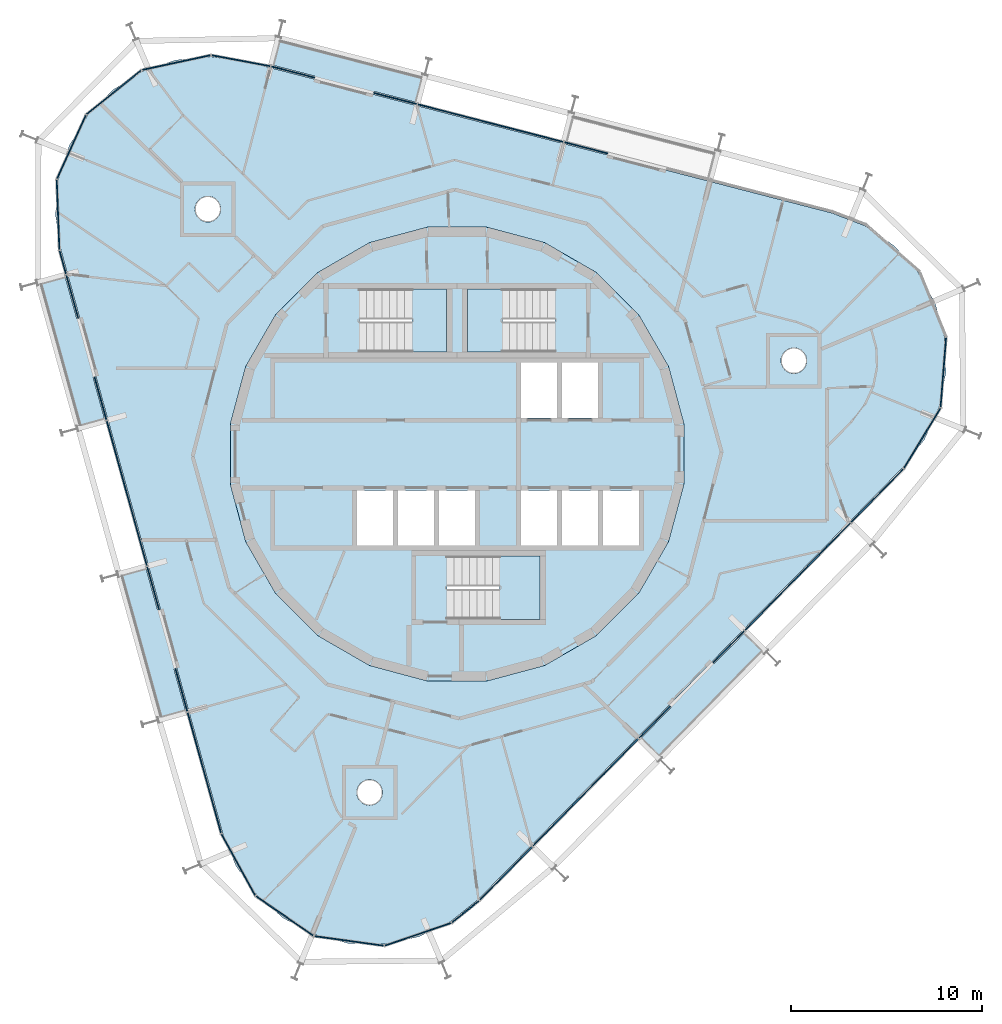
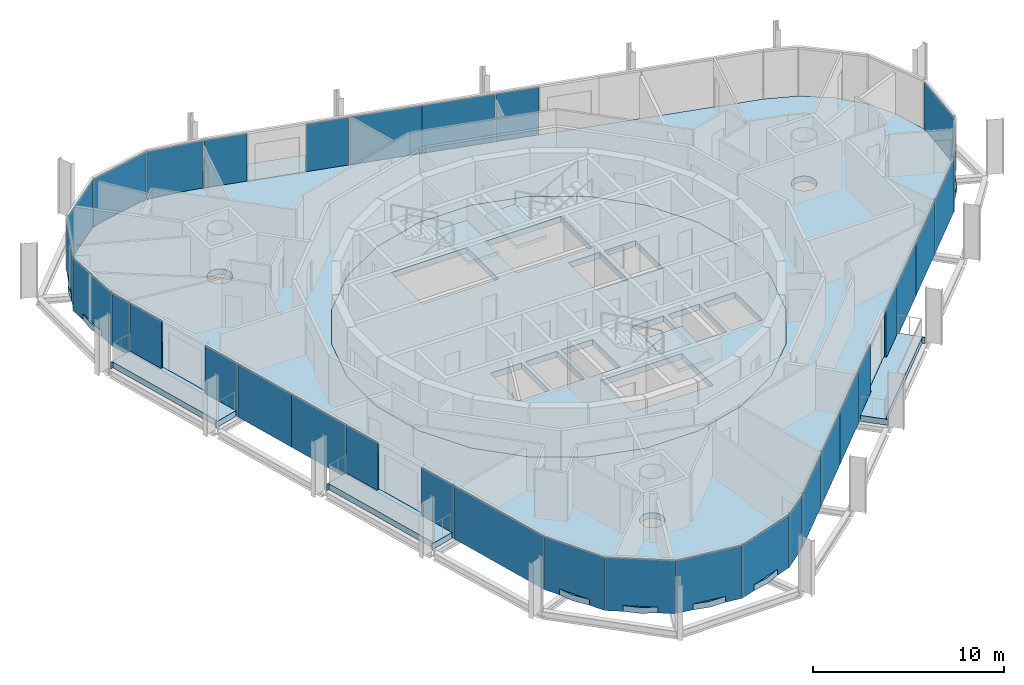
# One storey, part 8 of 15: 33 plates, 9 slabs, 9 elements without a shape of their own.
"""IFC4 building model written with IfcOpenShell, lengths in metres."""

from ifc_helpers import new_model, si_unit, direction, frame, origin, origin_2d, place, context, subcontext, project, spatial, polyline, rectangle, outline, extrude, material, layer, layer_set, type_object, element, aggregate, save


model = new_model("IFC4")

# Units and contexts
model_context = context("Model", 3, precision=1e-05, world=origin(), true_north=direction((0.0, 1.0)))
body_context = subcontext(model_context, "Body", "Model", "MODEL_VIEW")
ifc_project = project(units=[si_unit("LENGTHUNIT", "METRE"), si_unit("AREAUNIT", "SQUARE_METRE"), si_unit("VOLUMEUNIT", "CUBIC_METRE"), si_unit("PLANEANGLEUNIT", "RADIAN"), si_unit("MASSUNIT", "GRAM", prefix="KILO")], contexts=[model_context])

# Site, building, storey
site_placement = place(None, origin())
site = spatial("IfcSite", under=ifc_project, at=site_placement, CompositionType="ELEMENT")
building_placement = place(site_placement, origin())
building = spatial("IfcBuilding", under=site, at=building_placement, Name="Spindle Arch Residences", CompositionType="ELEMENT")
storey_placement = place(building_placement, frame((0.0, 0.0, 315.699951171875)))
storey = spatial("IfcBuildingStorey", under=building, at=storey_placement, Name="L81", CompositionType="ELEMENT", Elevation=315.699951171875)

# Slabs
ifc_material_1 = material(Name="Concrete C40/50", Category="concrete")
ifc_layer_1 = layer(ifc_material_1, 0.3798828125)
ifc_layer_set_1 = layer_set([ifc_layer_1], Name="Balcony slab 380")
slab_type_1 = type_object("IfcSlabType", Name="Balcony slab 380", PredefinedType="FLOOR", material=ifc_layer_set_1)
slab_1_placement = place(storey_placement, frame((0.0, 0.0, -0.3798828125)))
element("IfcSlab", 1, at=slab_1_placement, inside=storey, type_object=slab_type_1, Name="Balcony L81 bay 8", PredefinedType="FLOOR", context=body_context, shape_type="SweptSolid", body=[
    extrude(outline(polyline([(-1.763671875, 19.8896484375), (-1.83642578125, 19.908447265625), (-1.8740234375, 19.763427734375), (-9.265869140625, 21.675048828125), (-9.228271484375, 21.8203125), (-9.30078125, 21.839111328125), (-9.673828125, 20.396484375), (-7.454345703125, 19.822509765625), (-7.494384765625, 19.66748046875), (-4.396484375, 18.8662109375), (-4.3564453125, 19.021240234375), (-2.13671875, 18.447265625), (-1.763671875, 19.8896484375)])), origin(), (0.0, 0.0, 1.0), 0.3798828125),
])
slab_2_placement = place(storey_placement, frame((0.0, 0.0, -0.3798828125)))
element("IfcSlab", 2, at=slab_2_placement, inside=storey, type_object=slab_type_1, Name="Balcony L81 bay 12", PredefinedType="FLOOR", context=body_context, shape_type="SweptSolid", body=[
    extrude(outline(polyline([(-21.998046875, 8.918212890625), (-21.97802734375, 8.845947265625), (-21.83349609375, 8.88623046875), (-19.79296875, 1.52880859375), (-19.9375, 1.488525390625), (-19.91748046875, 1.416259765625), (-18.481689453125, 1.814453125), (-19.094482421875, 4.023681640625), (-18.940185546875, 4.06640625), (-19.79541015625, 7.150146484375), (-19.949462890625, 7.107421875), (-20.562255859375, 9.31640625), (-21.998046875, 8.918212890625)])), origin(), (0.0, 0.0, 1.0), 0.3798828125),
])
slab_3_placement = place(storey_placement, frame((0.0, 0.0, -0.3798828125)))
element("IfcSlab", 3, at=slab_3_placement, inside=storey, type_object=slab_type_1, Name="Balcony L81 bay 14", PredefinedType="FLOOR", context=body_context, shape_type="SweptSolid", body=[
    extrude(outline(polyline([(-17.7568359375, -6.374755859375), (-17.73681640625, -6.447021484375), (-17.59228515625, -6.406982421875), (-15.552001953125, -13.76416015625), (-15.696533203125, -13.804443359375), (-15.676513671875, -13.876708984375), (-14.240478515625, -13.478515625), (-14.853271484375, -11.269287109375), (-14.698974609375, -11.2265625), (-15.55419921875, -8.142822265625), (-15.70849609375, -8.185546875), (-16.321044921875, -5.9765625), (-17.7568359375, -6.374755859375)])), origin(), (0.0, 0.0, 1.0), 0.3798828125),
])
slab_4_placement = place(storey_placement, frame((0.0, 0.0, -0.3798828125)))
element("IfcSlab", 4, at=slab_4_placement, inside=storey, type_object=slab_type_1, Name="Balcony L81 bay 20", PredefinedType="FLOOR", context=body_context, shape_type="SweptSolid", body=[
    extrude(outline(polyline([(10.691162109375, -15.963623046875), (10.743896484375, -15.91015625), (10.63671875, -15.80517578125), (15.98828125, -10.359375), (16.09521484375, -10.464599609375), (16.14794921875, -10.410888671875), (15.085205078125, -9.36669921875), (13.478271484375, -11.001708984375), (13.364013671875, -10.8896484375), (11.121337890625, -13.172119140625), (11.2353515625, -13.2841796875), (9.62841796875, -14.91943359375), (10.691162109375, -15.963623046875)])), origin(), (0.0, 0.0, 1.0), 0.3798828125),
])
ifc_material_2 = material(Name="Concrete C50/60", Category="concrete")
ifc_layer_2 = layer(ifc_material_2, 0.3798828125)
ifc_layer_set_2 = layer_set([ifc_layer_2], Name="Core floor slab 380")
slab_type_2 = type_object("IfcSlabType", Name="Core floor slab 380", PredefinedType="FLOOR", material=ifc_layer_set_2)
slab_5_placement = place(storey_placement, frame((0.0, 0.0, -0.3798828125)))
element("IfcSlab", 5, at=slab_5_placement, inside=storey, type_object=slab_type_2, Name="Core floor L81", PredefinedType="FLOOR", context=body_context, shape_type="SweptSolid", body=[
    extrude(outline(polyline([(1.56640625, -11.897216796875), (4.59228515625, -11.086669921875), (7.30517578125, -9.520263671875), (9.520263671875, -7.30517578125), (11.086669921875, -4.59228515625), (11.897216796875, -1.56640625), (11.897216796875, 1.56640625), (11.086669921875, 4.59228515625), (9.520263671875, 7.30517578125), (7.30517578125, 9.520263671875), (4.59228515625, 11.086669921875), (1.56640625, 11.897216796875), (-1.56640625, 11.897216796875), (-4.59228515625, 11.086669921875), (-7.30517578125, 9.520263671875), (-9.520263671875, 7.30517578125), (-11.086669921875, 4.59228515625), (-11.897216796875, 1.56640625), (-11.897216796875, -1.56640625), (-11.086669921875, -4.59228515625), (-9.520263671875, -7.30517578125), (-7.30517578125, -9.520263671875), (-4.59228515625, -11.086669921875), (-1.56640625, -11.897216796875), (1.56640625, -11.897216796875)]), holes=[polyline([(3.35009765625, 1.89990234375), (5.25, 1.89990234375), (5.25, 4.800048828125), (3.35009765625, 4.800048828125), (3.35009765625, 1.89990234375)]), polyline([(5.5, 1.89990234375), (7.39990234375, 1.89990234375), (7.39990234375, 4.800048828125), (5.5, 4.800048828125), (5.5, 1.89990234375)]), polyline([(-5.25, -4.800048828125), (-3.35009765625, -4.800048828125), (-3.35009765625, -1.89990234375), (-5.25, -1.89990234375), (-5.25, -4.800048828125)]), polyline([(-3.10009765625, -4.800048828125), (-1.199951171875, -4.800048828125), (-1.199951171875, -1.89990234375), (-3.10009765625, -1.89990234375), (-3.10009765625, -4.800048828125)]), polyline([(-0.949951171875, -4.800048828125), (0.949951171875, -4.800048828125), (0.949951171875, -1.89990234375), (-0.949951171875, -1.89990234375), (-0.949951171875, -4.800048828125)]), polyline([(3.35009765625, -4.800048828125), (5.25, -4.800048828125), (5.25, -1.89990234375), (3.35009765625, -1.89990234375), (3.35009765625, -4.800048828125)]), polyline([(5.5, -4.800048828125), (7.39990234375, -4.800048828125), (7.39990234375, -1.89990234375), (5.5, -1.89990234375), (5.5, -4.800048828125)]), polyline([(7.64990234375, -4.800048828125), (9.550048828125, -4.800048828125), (9.550048828125, -1.89990234375), (7.64990234375, -1.89990234375), (7.64990234375, -4.800048828125)]), polyline([(5.1298828125, 8.669921875), (0.550048828125, 8.669921875), (0.550048828125, 5.35009765625), (5.1298828125, 5.35009765625), (5.1298828125, 8.669921875)]), polyline([(-5.1298828125, 5.35009765625), (-0.550048828125, 5.35009765625), (-0.550048828125, 8.669921875), (-5.1298828125, 8.669921875), (-5.1298828125, 5.35009765625)]), polyline([(-0.530029296875, -8.669921875), (4.35009765625, -8.669921875), (4.35009765625, -5.35009765625), (-0.530029296875, -5.35009765625), (-0.530029296875, -8.669921875)])]), origin(), (0.0, 0.0, 1.0), 0.3798828125),
])

# Stair, slab
ifc_material_3 = material(Name="Concrete C50/60", Category="concrete")
stair_type = type_object("IfcStairType", Name="Exit stair 16 risers", PredefinedType="HALF_TURN_STAIR", material=ifc_material_3)
stair_1_placement = place(storey_placement, origin())
stair_1 = element("IfcStair", 6, at=stair_1_placement, inside=storey, type_object=stair_type, Name="L81 Exit stair ST1", PredefinedType="HALF_TURN_STAIR")
ifc_material_4 = material(Name="Concrete C50/60", Category="concrete")
ifc_layer_3 = layer(ifc_material_4, 0.219970703125)
ifc_layer_set_3 = layer_set([ifc_layer_3], Name="Exit stair landing 220")
slab_type_3 = type_object("IfcSlabType", Name="Exit stair landing 220", PredefinedType="LANDING", material=ifc_layer_set_3)
slab_6_placement = place(storey_placement, frame((0.0, 0.0, 1.530029296875)))
slab_6 = element("IfcSlab", 7, at=slab_6_placement, type_object=slab_type_3, Name="ST1 landing 1", PredefinedType="LANDING", context=body_context, shape_type="SweptSolid", body=[
    extrude(outline(polyline([(2.3701171875, 8.669921875), (0.550048828125, 8.669921875), (0.550048828125, 5.35009765625), (2.3701171875, 5.35009765625), (2.3701171875, 8.669921875)])), origin(), (0.0, 0.0, 1.0), 0.219970703125),
])
aggregate(stair_1, [slab_6])

stair_2_placement = place(storey_placement, origin())
stair_2 = element("IfcStair", 8, at=stair_2_placement, inside=storey, type_object=stair_type, Name="L81 Exit stair ST2", PredefinedType="HALF_TURN_STAIR")
slab_7_placement = place(storey_placement, frame((0.0, 0.0, 1.530029296875)))
slab_7 = element("IfcSlab", 9, at=slab_7_placement, type_object=slab_type_3, Name="ST2 landing 1", PredefinedType="LANDING", context=body_context, shape_type="SweptSolid", body=[
    extrude(outline(polyline([(-2.3701171875, 5.35009765625), (-0.550048828125, 5.35009765625), (-0.550048828125, 8.669921875), (-2.3701171875, 8.669921875), (-2.3701171875, 5.35009765625)])), origin(), (0.0, 0.0, 1.0), 0.219970703125),
])
aggregate(stair_2, [slab_7])

stair_3_placement = place(storey_placement, origin())
stair_3 = element("IfcStair", 10, at=stair_3_placement, inside=storey, type_object=stair_type, Name="L81 Exit stair ST3", PredefinedType="HALF_TURN_STAIR")
slab_8_placement = place(storey_placement, frame((0.0, 0.0, 1.530029296875)))
slab_8 = element("IfcSlab", 11, at=slab_8_placement, type_object=slab_type_3, Name="ST3 landing 1", PredefinedType="LANDING", context=body_context, shape_type="SweptSolid", body=[
    extrude(outline(polyline([(2.22998046875, -8.669921875), (4.35009765625, -8.669921875), (4.35009765625, -5.35009765625), (2.22998046875, -5.35009765625), (2.22998046875, -8.669921875)])), origin(), (0.0, 0.0, 1.0), 0.219970703125),
])
aggregate(stair_3, [slab_8])

# Slab
ifc_material_5 = material(Name="Concrete C40/50", Category="concrete")
ifc_layer_4 = layer(ifc_material_5, 0.3798828125)
ifc_layer_set_4 = layer_set([ifc_layer_4], Name="Floor slab 380")
slab_type_4 = type_object("IfcSlabType", Name="Floor slab 380", PredefinedType="FLOOR", material=ifc_layer_set_4)
slab_9_placement = place(storey_placement, frame((0.0, 0.0, -0.3798828125)))
element("IfcSlab", 12, at=slab_9_placement, inside=storey, type_object=slab_type_4, Name="Floor slab L81", PredefinedType="FLOOR", context=body_context, shape_type="SweptSolid", body=[
    extrude(outline(polyline([(-0.330078125, -24.517333984375), (-2.006591796875, -25.317138671875), (-3.822509765625, -25.70849609375), (-5.6796875, -25.6708984375), (-7.477783203125, -25.205810546875), (-9.12060546875, -24.33837890625), (-10.518798828125, -23.11572265625), (-11.597412109375, -21.603515625), (-12.29833984375, -19.88330078125), (-20.782470703125, 10.709228515625), (-21.067626953125, 12.544677734375), (-20.921875, 14.396484375), (-20.35302734375, 16.164794921875), (-19.3916015625, 17.754150390625), (-18.08984375, 19.078857421875), (-16.517333984375, 20.06787109375), (-14.759521484375, 20.66748046875), (-12.910400390625, 20.845458984375), (-11.0703125, 20.59228515625), (19.665771484375, 12.6435546875), (21.397705078125, 11.972900390625), (22.9287109375, 10.920654296875), (24.175537109375, 9.5439453125), (25.0712890625, 7.916748046875), (25.567626953125, 6.126708984375), (25.637939453125, 4.2705078125), (25.2783203125, 2.4482421875), (24.5078125, 0.758056640625), (23.36865234375, -0.708984375), (12.24267578125, -12.03076171875), (1.11669921875, -23.352783203125), (-0.330078125, -24.517333984375)]), holes=[polyline([(7.30517578125, -9.520263671875), (9.520263671875, -7.30517578125), (11.086669921875, -4.59228515625), (11.897216796875, -1.56640625), (11.897216796875, 1.56640625), (11.086669921875, 4.59228515625), (9.520263671875, 7.30517578125), (7.30517578125, 9.520263671875), (4.59228515625, 11.086669921875), (1.56640625, 11.897216796875), (-1.56640625, 11.897216796875), (-4.59228515625, 11.086669921875), (-7.30517578125, 9.520263671875), (-9.520263671875, 7.30517578125), (-11.086669921875, 4.59228515625), (-11.897216796875, 1.56640625), (-11.897216796875, -1.56640625), (-11.086669921875, -4.59228515625), (-9.520263671875, -7.30517578125), (-7.30517578125, -9.520263671875), (-4.59228515625, -11.086669921875), (-1.56640625, -11.897216796875), (1.56640625, -11.897216796875), (4.59228515625, -11.086669921875), (7.30517578125, -9.520263671875)]), polyline([(-4.028076171875, -18.120361328125), (-3.9658203125, -18.003662109375), (-3.92724609375, -17.877197265625), (-3.914306640625, -17.745361328125), (-3.92724609375, -17.61376953125), (-3.9658203125, -17.487060546875), (-4.028076171875, -17.370361328125), (-4.112060546875, -17.26806640625), (-4.21435546875, -17.18408203125), (-4.3310546875, -17.121826171875), (-4.45751953125, -17.08349609375), (-4.58935546875, -17.0703125), (-4.720947265625, -17.08349609375), (-4.84765625, -17.121826171875), (-4.96435546875, -17.18408203125), (-5.066650390625, -17.26806640625), (-5.150390625, -17.370361328125), (-5.212890625, -17.487060546875), (-5.251220703125, -17.61376953125), (-5.264404296875, -17.745361328125), (-5.251220703125, -17.877197265625), (-5.212890625, -18.003662109375), (-5.150390625, -18.120361328125), (-5.066650390625, -18.22265625), (-4.96435546875, -18.306640625), (-4.84765625, -18.368896484375), (-4.720947265625, -18.407470703125), (-4.58935546875, -18.42041015625), (-4.45751953125, -18.407470703125), (-4.3310546875, -18.368896484375), (-4.21435546875, -18.306640625), (-4.112060546875, -18.22265625), (-4.028076171875, -18.120361328125)]), polyline([(-12.595947265625, 12.369873046875), (-12.51220703125, 12.47216796875), (-12.44970703125, 12.5888671875), (-12.411376953125, 12.71533203125), (-12.398193359375, 12.84716796875), (-12.411376953125, 12.978759765625), (-12.44970703125, 13.10546875), (-12.51220703125, 13.22216796875), (-12.595947265625, 13.324462890625), (-12.6982421875, 13.408203125), (-12.81494140625, 13.470703125), (-12.941650390625, 13.509033203125), (-13.0732421875, 13.522216796875), (-13.205078125, 13.509033203125), (-13.33154296875, 13.470703125), (-13.4482421875, 13.408203125), (-13.550537109375, 13.324462890625), (-13.634521484375, 13.22216796875), (-13.697021484375, 13.10546875), (-13.7353515625, 12.978759765625), (-13.748291015625, 12.84716796875), (-13.7353515625, 12.71533203125), (-13.697021484375, 12.5888671875), (-13.634521484375, 12.47216796875), (-13.550537109375, 12.369873046875), (-13.4482421875, 12.285888671875), (-13.33154296875, 12.223388671875), (-13.205078125, 12.18505859375), (-13.0732421875, 12.172119140625), (-12.941650390625, 12.18505859375), (-12.81494140625, 12.223388671875), (-12.6982421875, 12.285888671875), (-12.595947265625, 12.369873046875)]), polyline([(18.139892578125, 4.4208984375), (18.223876953125, 4.523193359375), (18.2861328125, 4.639892578125), (18.32470703125, 4.7666015625), (18.337646484375, 4.898193359375), (18.32470703125, 5.030029296875), (18.2861328125, 5.156494140625), (18.223876953125, 5.273193359375), (18.139892578125, 5.37548828125), (18.03759765625, 5.45947265625), (17.9208984375, 5.52197265625), (17.794189453125, 5.560302734375), (17.66259765625, 5.5732421875), (17.531005859375, 5.560302734375), (17.404296875, 5.52197265625), (17.28759765625, 5.45947265625), (17.185302734375, 5.37548828125), (17.101318359375, 5.273193359375), (17.0390625, 5.156494140625), (17.00048828125, 5.030029296875), (16.987548828125, 4.898193359375), (17.00048828125, 4.7666015625), (17.0390625, 4.639892578125), (17.101318359375, 4.523193359375), (17.185302734375, 4.4208984375), (17.28759765625, 4.337158203125), (17.404296875, 4.274658203125), (17.531005859375, 4.236328125), (17.66259765625, 4.223388671875), (17.794189453125, 4.236328125), (17.9208984375, 4.274658203125), (18.03759765625, 4.337158203125), (18.139892578125, 4.4208984375)])]), origin(), (0.0, 0.0, 1.0), 0.3798828125),
])

# Curtain wall, plates
ifc_material_6 = material(Name="Aluminium bronze unitised frame with tinted glass", Category="aluminium")
ifc_layer_5 = layer(ifc_material_6, 0.159912109375)
ifc_layer_set_5 = layer_set([ifc_layer_5], Name="CW-D corner wall on the fillet arcs")
curtain_wall_type_1 = type_object("IfcCurtainWallType", Name="CW-D corner wall on the fillet arcs", PredefinedType="NOTDEFINED", material=ifc_layer_set_5)
curtain_wall_1_placement = place(storey_placement, origin())
curtain_wall_1 = element("IfcCurtainWall", 13, at=curtain_wall_1_placement, inside=storey, type_object=curtain_wall_type_1, Name="CW-D L81 run 1", PredefinedType="NOTDEFINED")
ifc_material_7 = material(Name="Tinted double glazing over aluminium faced non-combustible spandrel zone (K0)", Category="aluminium")
ifc_layer_6 = layer(ifc_material_7, 0.06005859375)
ifc_layer_set_6 = layer_set([ifc_layer_6], Name="Unitised glass panel with E 60 spandrel zone")
plate_type = type_object("IfcPlateType", Name="Unitised glass panel with E 60 spandrel zone", PredefinedType="CURTAIN_PANEL", material=ifc_layer_set_6)
plate_1_placement = place(storey_placement, frame((22.033935546875, -2.18115234375, -0.3798828125), z_axis=(0.0, 0.0, 1.0), x_axis=(0.7009092643, 0.713250449154, 0.0)))
plate_1 = element("IfcPlate", 14, at=plate_1_placement, type_object=plate_type, Name="CW-D unit 00", PredefinedType="CURTAIN_PANEL", context=body_context, shape_type="SweptSolid", body=[
    extrude(rectangle(XDim=3.910888671875, YDim=0.06005859375, at=origin_2d()), origin(), (0.0, 0.0, 1.0), 3.3798828125),
])
plate_2_placement = place(storey_placement, frame((24.39013671875, 0.829345703125, -0.3798828125), z_axis=(0.0, 0.0, 1.0), x_axis=(0.517529288252, 0.855665492936, 0.0)))
plate_2 = element("IfcPlate", 15, at=plate_2_placement, type_object=plate_type, Name="CW-D unit 01", PredefinedType="CURTAIN_PANEL", context=body_context, shape_type="SweptSolid", body=[
    extrude(rectangle(XDim=3.666748046875, YDim=0.06005859375, at=origin_2d()), origin(), (0.0, 0.0, 1.0), 3.3798828125),
])
plate_3_placement = place(storey_placement, frame((25.50048828125, 4.281494140625, -0.3798828125), z_axis=(0.0, 0.0, 1.0), x_axis=(0.078459091935, 0.996917334032, 0.0)))
plate_3 = element("IfcPlate", 16, at=plate_3_placement, type_object=plate_type, Name="CW-D unit 02", PredefinedType="CURTAIN_PANEL", context=body_context, shape_type="SweptSolid", body=[
    extrude(rectangle(XDim=3.666748046875, YDim=0.06005859375, at=origin_2d()), origin(), (0.0, 0.0, 1.0), 3.3798828125),
])
aggregate(curtain_wall_1, [plate_1, plate_2, plate_3])

ifc_material_8 = material(Name="Aluminium bronze unitised frame with tinted glass", Category="aluminium")
ifc_layer_7 = layer(ifc_material_8, 0.159912109375)
ifc_layer_set_7 = layer_set([ifc_layer_7], Name="CW-C typical residential unitised wall")
curtain_wall_type_2 = type_object("IfcCurtainWallType", Name="CW-C typical residential unitised wall", PredefinedType="NOTDEFINED", material=ifc_layer_set_7)
curtain_wall_2_placement = place(storey_placement, origin())
curtain_wall_2 = element("IfcCurtainWall", 17, at=curtain_wall_2_placement, inside=storey, type_object=curtain_wall_type_2, Name="CW-C L81 run 2", PredefinedType="NOTDEFINED")
plate_4_placement = place(storey_placement, frame((6.7587890625, 16.06396484375, -0.3798828125), z_axis=(0.0, 0.0, 1.0), x_axis=(-0.968147640378, 0.250380004054, 0.0)))
plate_4 = element("IfcPlate", 18, at=plate_4_placement, type_object=plate_type, Name="CW-C unit 05R", PredefinedType="CURTAIN_PANEL", context=body_context, shape_type="SweptSolid", body=[
    extrude(rectangle(XDim=2.337646484375, YDim=0.06005859375, at=origin_2d()), origin(), (0.0, 0.0, 1.0), 3.3798828125),
])
plate_5_placement = place(storey_placement, frame((3.6630859375, 16.86474609375, -0.3798828125), z_axis=(0.0, 0.0, 1.0), x_axis=(-0.968147640378, 0.250380004054, 0.0)))
plate_5 = element("IfcPlate", 19, at=plate_5_placement, type_object=plate_type, Name="CW-C unit 06A", PredefinedType="CURTAIN_PANEL", context=body_context, shape_type="SweptSolid", body=[
    extrude(rectangle(XDim=3.9375, YDim=0.06005859375, at=origin_2d()), origin(), (0.0, 0.0, 1.0), 3.3798828125),
])
plate_6_placement = place(storey_placement, frame((-0.149169921875, 17.8505859375, -0.3798828125), z_axis=(0.0, 0.0, 1.0), x_axis=(-0.968147640378, 0.250380004054, 0.0)))
plate_6 = element("IfcPlate", 20, at=plate_6_placement, type_object=plate_type, Name="CW-C unit 06B", PredefinedType="CURTAIN_PANEL", context=body_context, shape_type="SweptSolid", body=[
    extrude(rectangle(XDim=3.9375, YDim=0.06005859375, at=origin_2d()), origin(), (0.0, 0.0, 1.0), 3.3798828125),
])
plate_7_placement = place(storey_placement, frame((-3.244873046875, 18.651123046875, -0.3798828125), z_axis=(0.0, 0.0, 1.0), x_axis=(-0.968147640378, 0.250380004054, 0.0)))
plate_7 = element("IfcPlate", 21, at=plate_7_placement, type_object=plate_type, Name="CW-C unit 07L", PredefinedType="CURTAIN_PANEL", context=body_context, shape_type="SweptSolid", body=[
    extrude(rectangle(XDim=2.337646484375, YDim=0.06005859375, at=origin_2d()), origin(), (0.0, 0.0, 1.0), 3.3798828125),
])
plate_8_placement = place(storey_placement, frame((-8.60595703125, 20.03759765625, -0.3798828125), z_axis=(0.0, 0.0, 1.0), x_axis=(-0.968147640378, 0.250380004054, 0.0)))
plate_8 = element("IfcPlate", 22, at=plate_8_placement, type_object=plate_type, Name="CW-C unit 07R", PredefinedType="CURTAIN_PANEL", context=body_context, shape_type="SweptSolid", body=[
    extrude(rectangle(XDim=2.337646484375, YDim=0.06005859375, at=origin_2d()), origin(), (0.0, 0.0, 1.0), 3.3798828125),
])
aggregate(curtain_wall_2, [plate_4, plate_5, plate_6, plate_7, plate_8])

curtain_wall_3_placement = place(storey_placement, origin())
curtain_wall_3 = element("IfcCurtainWall", 23, at=curtain_wall_3_placement, inside=storey, type_object=curtain_wall_type_1, Name="CW-D L81 run 3", PredefinedType="NOTDEFINED")
plate_9_placement = place(storey_placement, frame((-11.337646484375, 20.631591796875, -0.3798828125), z_axis=(0.0, 0.0, 1.0), x_axis=(-0.98295670176, 0.183837217301, 0.0)))
plate_9 = element("IfcPlate", 24, at=plate_9_placement, type_object=plate_type, Name="CW-D unit 00", PredefinedType="CURTAIN_PANEL", context=body_context, shape_type="SweptSolid", body=[
    extrude(rectangle(XDim=3.13671875, YDim=0.06005859375, at=origin_2d()), origin(), (0.0, 0.0, 1.0), 3.3798828125),
])
plate_10_placement = place(storey_placement, frame((-14.73046875, 20.53271484375, -0.3798828125), z_axis=(0.0, 0.0, 1.0), x_axis=(-0.977538671364, -0.210756129184, 0.0)))
plate_10 = element("IfcPlate", 25, at=plate_10_placement, type_object=plate_type, Name="CW-D unit 01", PredefinedType="CURTAIN_PANEL", context=body_context, shape_type="SweptSolid", body=[
    extrude(rectangle(XDim=3.666748046875, YDim=0.06005859375, at=origin_2d()), origin(), (0.0, 0.0, 1.0), 3.3798828125),
])
plate_11_placement = place(storey_placement, frame((-18.00341796875, 18.9716796875, -0.3798828125), z_axis=(0.0, 0.0, 1.0), x_axis=(-0.778973288411, -0.627057107401, 0.0)))
plate_11 = element("IfcPlate", 26, at=plate_11_placement, type_object=plate_type, Name="CW-D unit 02", PredefinedType="CURTAIN_PANEL", context=body_context, shape_type="SweptSolid", body=[
    extrude(rectangle(XDim=3.666748046875, YDim=0.06005859375, at=origin_2d()), origin(), (0.0, 0.0, 1.0), 3.3798828125),
])
plate_12_placement = place(storey_placement, frame((-20.2275390625, 16.107421875, -0.3798828125), z_axis=(0.0, 0.0, 1.0), x_axis=(-0.414693245896, -0.9099612694, 0.0)))
plate_12 = element("IfcPlate", 27, at=plate_12_placement, type_object=plate_type, Name="CW-D unit 03", PredefinedType="CURTAIN_PANEL", context=body_context, shape_type="SweptSolid", body=[
    extrude(rectangle(XDim=3.666748046875, YDim=0.06005859375, at=origin_2d()), origin(), (0.0, 0.0, 1.0), 3.3798828125),
])
plate_13_placement = place(storey_placement, frame((-20.929931640625, 12.5498046875, -0.3798828125), z_axis=(0.0, 0.0, 1.0), x_axis=(0.037806455536, -0.999285080405, 0.0)))
plate_13 = element("IfcPlate", 28, at=plate_13_placement, type_object=plate_type, Name="CW-D unit 04", PredefinedType="CURTAIN_PANEL", context=body_context, shape_type="SweptSolid", body=[
    extrude(rectangle(XDim=3.666748046875, YDim=0.06005859375, at=origin_2d()), origin(), (0.0, 0.0, 1.0), 3.3798828125),
])
plate_14_placement = place(storey_placement, frame((-20.682373046875, 10.049072265625, -0.3798828125), z_axis=(0.0, 0.0, 1.0), x_axis=(0.267238376078, -0.963630453209, 0.0)))
plate_14 = element("IfcPlate", 29, at=plate_14_placement, type_object=plate_type, Name="CW-D unit 05", PredefinedType="CURTAIN_PANEL", context=body_context, shape_type="SweptSolid", body=[
    extrude(rectangle(XDim=1.265869140625, YDim=0.06005859375, at=origin_2d()), origin(), (0.0, 0.0, 1.0), 3.3798828125),
])
aggregate(curtain_wall_3, [plate_9, plate_10, plate_11, plate_12, plate_13, plate_14])

curtain_wall_4_placement = place(storey_placement, origin())
curtain_wall_4 = element("IfcCurtainWall", 30, at=curtain_wall_4_placement, inside=storey, type_object=curtain_wall_type_2, Name="CW-C L81 run 4", PredefinedType="NOTDEFINED")
plate_15_placement = place(storey_placement, frame((-20.184814453125, 8.2548828125, -0.3798828125), z_axis=(0.0, 0.0, 1.0), x_axis=(0.267238376078, -0.963630453209, 0.0)))
plate_15 = element("IfcPlate", 31, at=plate_15_placement, type_object=plate_type, Name="CW-C unit 11L", PredefinedType="CURTAIN_PANEL", context=body_context, shape_type="SweptSolid", body=[
    extrude(rectangle(XDim=2.337646484375, YDim=0.06005859375, at=origin_2d()), origin(), (0.0, 0.0, 1.0), 3.3798828125),
])
plate_16_placement = place(storey_placement, frame((-18.704833984375, 2.9189453125, -0.3798828125), z_axis=(0.0, 0.0, 1.0), x_axis=(0.267238376078, -0.963630453209, 0.0)))
plate_16 = element("IfcPlate", 32, at=plate_16_placement, type_object=plate_type, Name="CW-C unit 11R", PredefinedType="CURTAIN_PANEL", context=body_context, shape_type="SweptSolid", body=[
    extrude(rectangle(XDim=2.337646484375, YDim=0.06005859375, at=origin_2d()), origin(), (0.0, 0.0, 1.0), 3.3798828125),
])
plate_17_placement = place(storey_placement, frame((-17.850341796875, -0.162353515625, -0.3798828125), z_axis=(0.0, 0.0, 1.0), x_axis=(0.267238376078, -0.963630453209, 0.0)))
plate_17 = element("IfcPlate", 33, at=plate_17_placement, type_object=plate_type, Name="CW-C unit 12A", PredefinedType="CURTAIN_PANEL", context=body_context, shape_type="SweptSolid", body=[
    extrude(rectangle(XDim=3.9375, YDim=0.06005859375, at=origin_2d()), origin(), (0.0, 0.0, 1.0), 3.3798828125),
])
plate_18_placement = place(storey_placement, frame((-16.798095703125, -3.956787109375, -0.3798828125), z_axis=(0.0, 0.0, 1.0), x_axis=(0.267238376078, -0.963630453209, 0.0)))
plate_18 = element("IfcPlate", 34, at=plate_18_placement, type_object=plate_type, Name="CW-C unit 12B", PredefinedType="CURTAIN_PANEL", context=body_context, shape_type="SweptSolid", body=[
    extrude(rectangle(XDim=3.9375, YDim=0.06005859375, at=origin_2d()), origin(), (0.0, 0.0, 1.0), 3.3798828125),
])
plate_19_placement = place(storey_placement, frame((-15.943603515625, -7.0380859375, -0.3798828125), z_axis=(0.0, 0.0, 1.0), x_axis=(0.267238376078, -0.963630453209, 0.0)))
plate_19 = element("IfcPlate", 35, at=plate_19_placement, type_object=plate_type, Name="CW-C unit 13L", PredefinedType="CURTAIN_PANEL", context=body_context, shape_type="SweptSolid", body=[
    extrude(rectangle(XDim=2.337646484375, YDim=0.06005859375, at=origin_2d()), origin(), (0.0, 0.0, 1.0), 3.3798828125),
])
plate_20_placement = place(storey_placement, frame((-14.4638671875, -12.374267578125, -0.3798828125), z_axis=(0.0, 0.0, 1.0), x_axis=(0.267238376078, -0.963630453209, 0.0)))
plate_20 = element("IfcPlate", 36, at=plate_20_placement, type_object=plate_type, Name="CW-C unit 13R", PredefinedType="CURTAIN_PANEL", context=body_context, shape_type="SweptSolid", body=[
    extrude(rectangle(XDim=2.337646484375, YDim=0.06005859375, at=origin_2d()), origin(), (0.0, 0.0, 1.0), 3.3798828125),
])
aggregate(curtain_wall_4, [plate_15, plate_16, plate_17, plate_18, plate_19, plate_20])

curtain_wall_5_placement = place(storey_placement, origin())
curtain_wall_5 = element("IfcCurtainWall", 37, at=curtain_wall_5_placement, inside=storey, type_object=curtain_wall_type_1, Name="CW-D L81 run 5", PredefinedType="NOTDEFINED")
plate_21_placement = place(storey_placement, frame((-13.259521484375, -16.717041015625, -0.3798828125), z_axis=(0.0, 0.0, 1.0), x_axis=(0.267238376078, -0.963630453209, 0.0)))
plate_21 = element("IfcPlate", 38, at=plate_21_placement, type_object=plate_type, Name="CW-D unit 00", PredefinedType="CURTAIN_PANEL", context=body_context, shape_type="SweptSolid", body=[
    extrude(rectangle(XDim=6.555908203125, YDim=0.06005859375, at=origin_2d()), origin(), (0.0, 0.0, 1.0), 3.3798828125),
])
plate_22_placement = place(storey_placement, frame((-11.476806640625, -21.537109375, -0.3798828125), z_axis=(0.0, 0.0, 1.0), x_axis=(0.482263404731, -0.876026260142, 0.0)))
plate_22 = element("IfcPlate", 39, at=plate_22_placement, type_object=plate_type, Name="CW-D unit 01", PredefinedType="CURTAIN_PANEL", context=body_context, shape_type="SweptSolid", body=[
    extrude(rectangle(XDim=3.666748046875, YDim=0.06005859375, at=origin_2d()), origin(), (0.0, 0.0, 1.0), 3.3798828125),
])
plate_23_placement = place(storey_placement, frame((-9.04248046875, -24.224853515625, -0.3798828125), z_axis=(0.0, 0.0, 1.0), x_axis=(0.824126188573, -0.566406236997, 0.0)))
plate_23 = element("IfcPlate", 40, at=plate_23_placement, type_object=plate_type, Name="CW-D unit 02", PredefinedType="CURTAIN_PANEL", context=body_context, shape_type="SweptSolid", body=[
    extrude(rectangle(XDim=3.666748046875, YDim=0.06005859375, at=origin_2d()), origin(), (0.0, 0.0, 1.0), 3.3798828125),
])
plate_24_placement = place(storey_placement, frame((-5.660888671875, -25.5341796875, -0.3798828125), z_axis=(0.0, 0.0, 1.0), x_axis=(0.99066871764, -0.136291936259, 0.0)))
plate_24 = element("IfcPlate", 41, at=plate_24_placement, type_object=plate_type, Name="CW-D unit 03", PredefinedType="CURTAIN_PANEL", context=body_context, shape_type="SweptSolid", body=[
    extrude(rectangle(XDim=3.666748046875, YDim=0.06005859375, at=origin_2d()), origin(), (0.0, 0.0, 1.0), 3.3798828125),
])
plate_25_placement = place(storey_placement, frame((-2.05126953125, -25.186767578125, -0.3798828125), z_axis=(0.0, 0.0, 1.0), x_axis=(0.946461612616, 0.322816381002, 0.0)))
plate_25 = element("IfcPlate", 42, at=plate_25_placement, type_object=plate_type, Name="CW-D unit 04", PredefinedType="CURTAIN_PANEL", context=body_context, shape_type="SweptSolid", body=[
    extrude(rectangle(XDim=3.666748046875, YDim=0.06005859375, at=origin_2d()), origin(), (0.0, 0.0, 1.0), 3.3798828125),
])
plate_26_placement = place(storey_placement, frame((0.443115234375, -23.9970703125, -0.3798828125), z_axis=(0.0, 0.0, 1.0), x_axis=(0.778973292636, 0.627057102153, 0.0)))
plate_26 = element("IfcPlate", 43, at=plate_26_placement, type_object=plate_type, Name="CW-D unit 05", PredefinedType="CURTAIN_PANEL", context=body_context, shape_type="SweptSolid", body=[
    extrude(rectangle(XDim=1.816162109375, YDim=0.06005859375, at=origin_2d()), origin(), (0.0, 0.0, 1.0), 3.3798828125),
])
plate_27_placement = place(storey_placement, frame((2.5654296875, -21.99267578125, -0.3798828125), z_axis=(0.0, 0.0, 1.0), x_axis=(0.7009092643, 0.713250449154, 0.0)))
plate_27 = element("IfcPlate", 44, at=plate_27_placement, type_object=plate_type, Name="CW-D unit 06", PredefinedType="CURTAIN_PANEL", context=body_context, shape_type="SweptSolid", body=[
    extrude(rectangle(XDim=3.910888671875, YDim=0.06005859375, at=origin_2d()), origin(), (0.0, 0.0, 1.0), 3.3798828125),
])
aggregate(curtain_wall_5, [plate_21, plate_22, plate_23, plate_24, plate_25, plate_26, plate_27])

curtain_wall_6_placement = place(storey_placement, origin())
curtain_wall_6 = element("IfcCurtainWall", 45, at=curtain_wall_6_placement, inside=storey, type_object=curtain_wall_type_2, Name="CW-C L81 run 6", PredefinedType="NOTDEFINED")
plate_28_placement = place(storey_placement, frame((5.35791015625, -19.15087890625, -0.3798828125), z_axis=(0.0, 0.0, 1.0), x_axis=(0.7009092643, 0.713250449154, 0.0)))
plate_28 = element("IfcPlate", 46, at=plate_28_placement, type_object=plate_type, Name="CW-C unit 18A", PredefinedType="CURTAIN_PANEL", context=body_context, shape_type="SweptSolid", body=[
    extrude(rectangle(XDim=3.9375, YDim=0.06005859375, at=origin_2d()), origin(), (0.0, 0.0, 1.0), 3.3798828125),
])
plate_29_placement = place(storey_placement, frame((8.117919921875, -16.34228515625, -0.3798828125), z_axis=(0.0, 0.0, 1.0), x_axis=(0.7009092643, 0.713250449154, 0.0)))
plate_29 = element("IfcPlate", 47, at=plate_29_placement, type_object=plate_type, Name="CW-C unit 18B", PredefinedType="CURTAIN_PANEL", context=body_context, shape_type="SweptSolid", body=[
    extrude(rectangle(XDim=3.9375, YDim=0.06005859375, at=origin_2d()), origin(), (0.0, 0.0, 1.0), 3.3798828125),
])
plate_30_placement = place(storey_placement, frame((10.359130859375, -14.061767578125, -0.3798828125), z_axis=(0.0, 0.0, 1.0), x_axis=(0.7009092643, 0.713250449154, 0.0)))
plate_30 = element("IfcPlate", 48, at=plate_30_placement, type_object=plate_type, Name="CW-C unit 19L", PredefinedType="CURTAIN_PANEL", context=body_context, shape_type="SweptSolid", body=[
    extrude(rectangle(XDim=2.337646484375, YDim=0.06005859375, at=origin_2d()), origin(), (0.0, 0.0, 1.0), 3.3798828125),
])
plate_31_placement = place(storey_placement, frame((14.240478515625, -10.112060546875, -0.3798828125), z_axis=(0.0, 0.0, 1.0), x_axis=(0.7009092643, 0.713250449154, 0.0)))
plate_31 = element("IfcPlate", 49, at=plate_31_placement, type_object=plate_type, Name="CW-C unit 19R", PredefinedType="CURTAIN_PANEL", context=body_context, shape_type="SweptSolid", body=[
    extrude(rectangle(XDim=2.337646484375, YDim=0.06005859375, at=origin_2d()), origin(), (0.0, 0.0, 1.0), 3.3798828125),
])
plate_32_placement = place(storey_placement, frame((16.481689453125, -7.83154296875, -0.3798828125), z_axis=(0.0, 0.0, 1.0), x_axis=(0.7009092643, 0.713250449154, 0.0)))
plate_32 = element("IfcPlate", 50, at=plate_32_placement, type_object=plate_type, Name="CW-C unit 00A", PredefinedType="CURTAIN_PANEL", context=body_context, shape_type="SweptSolid", body=[
    extrude(rectangle(XDim=3.9375, YDim=0.06005859375, at=origin_2d()), origin(), (0.0, 0.0, 1.0), 3.3798828125),
])
plate_33_placement = place(storey_placement, frame((19.241455078125, -5.02294921875, -0.3798828125), z_axis=(0.0, 0.0, 1.0), x_axis=(0.7009092643, 0.713250449154, 0.0)))
plate_33 = element("IfcPlate", 51, at=plate_33_placement, type_object=plate_type, Name="CW-C unit 00B", PredefinedType="CURTAIN_PANEL", context=body_context, shape_type="SweptSolid", body=[
    extrude(rectangle(XDim=3.9375, YDim=0.06005859375, at=origin_2d()), origin(), (0.0, 0.0, 1.0), 3.3798828125),
])
aggregate(curtain_wall_6, [plate_28, plate_29, plate_30, plate_31, plate_32, plate_33])

save(model, "model.ifc")
